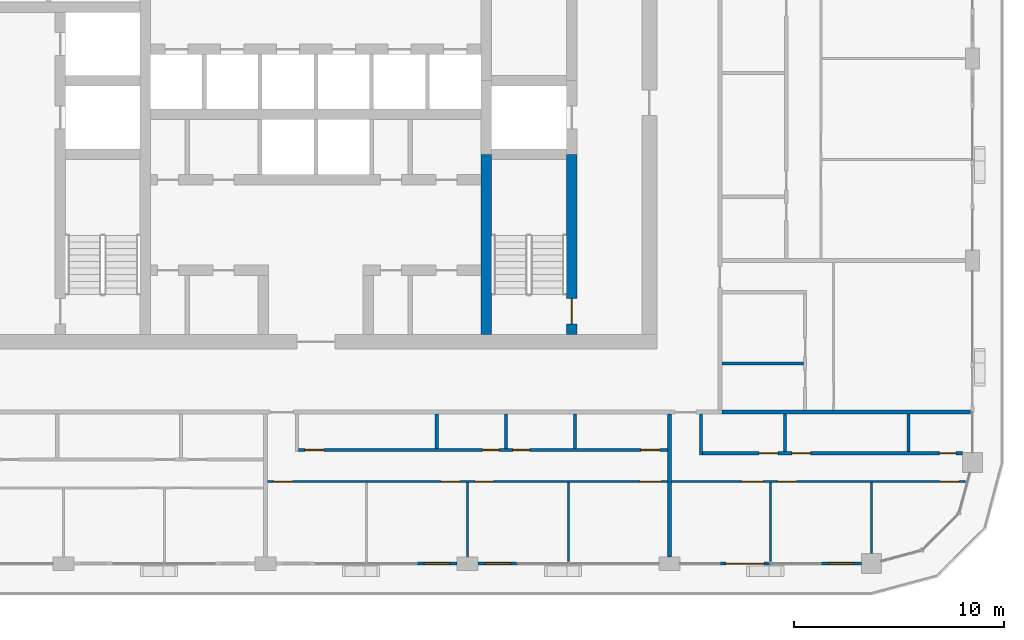
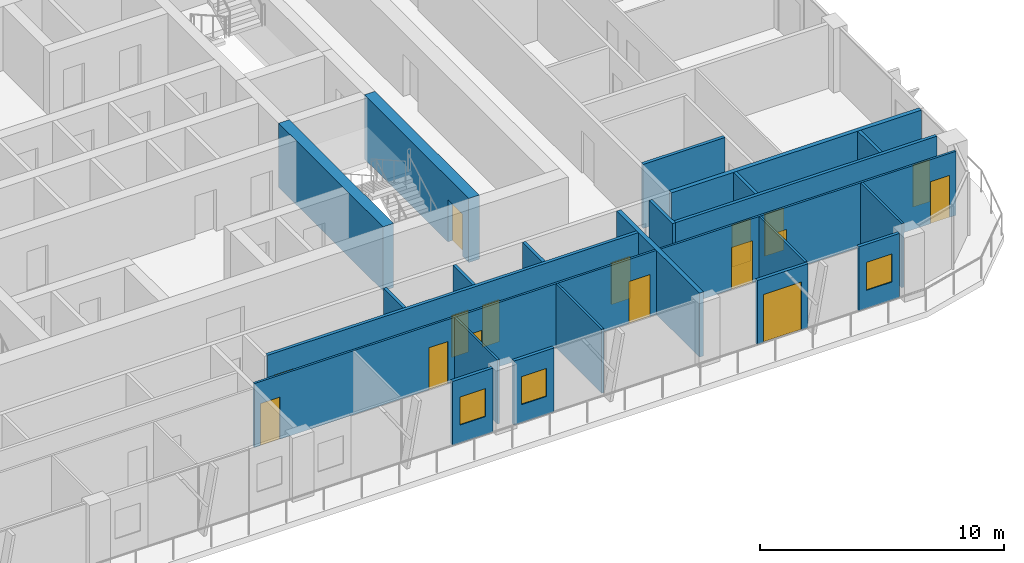
# One storey, part 12 of 23: 23 walls, 16 doors, 3 windows, 19 openings.
"""IFC4 building model written with IfcOpenShell, lengths in metres."""

import ifcopenshell
import ifcopenshell.guid

model = None  # the IFC model being written
_history = None  # IfcOwnerHistory: only IFC2X3 demands one
_inside = {}  # id of a spatial element -> (the spatial element, [elements in it])
_under = {}  # id of a project, library or spatial element -> (it, [spatial elements below it])
_declared = {}  # id of a project -> (the project, [libraries it declares])
_typed = {}  # id of a type object -> (the type object, [elements of that type])
_made_of = {}  # id of a material, layer set ... -> (it, [elements and type objects made of it])


def new_model(schema):
    """Start an empty IFC model of exactly this schema.

    Asked for "IFC4X3", IfcOpenShell would pick the latest addendum, in which some entities
    have other attributes; the version numbers below select the first issue.
    IFC2X3 requires an IfcOwnerHistory on every rooted entity: one is made here for all.
    """
    global model, _history
    if schema == "IFC4X3":
        model = ifcopenshell.file(schema_version=(4, 3, 0, 0))
    else:
        model = ifcopenshell.file(schema=schema)
    _inside.clear()
    _under.clear()
    _declared.clear()
    _typed.clear()
    _made_of.clear()
    _history = None
    if model.schema == "IFC2X3":
        org = make("IfcOrganization", Name="unknown")
        user = make(
            "IfcPersonAndOrganization",
            ThePerson=make("IfcPerson", FamilyName="unknown"),
            TheOrganization=org,
        )
        app = make(
            "IfcApplication",
            ApplicationDeveloper=org,
            Version="unknown",
            ApplicationFullName="unknown",
            ApplicationIdentifier="unknown",
        )
        _history = make(
            "IfcOwnerHistory",
            OwningUser=user,
            OwningApplication=app,
            ChangeAction="ADDED",
            CreationDate=0,
        )
    return model


def make(cls, **values):
    """One entity of the class cls with the attributes given. An attribute that is None is left unset."""
    return model.create_entity(
        cls, **{name: value for name, value in values.items() if value is not None}
    )


def rooted(cls, **values):
    """An entity with a GlobalId (a new one), such as an element, a storey or a relation."""
    return make(cls, GlobalId=ifcopenshell.guid.new(), OwnerHistory=_history, **values)


def si_unit(unit_type, name, prefix=None):
    """IfcSIUnit, for example si_unit("LENGTHUNIT", "METRE", prefix="MILLI")."""
    return make("IfcSIUnit", UnitType=unit_type, Prefix=prefix, Name=name)


def assignment(units):
    """IfcUnitAssignment: the units of a project."""
    return None if units is None else make("IfcUnitAssignment", Units=units)


def point(xyz):
    """IfcCartesianPoint."""
    return None if xyz is None else make("IfcCartesianPoint", Coordinates=xyz)


def direction(xyz):
    """IfcDirection."""
    return None if xyz is None else make("IfcDirection", DirectionRatios=xyz)


def frame(location, z_axis=None, x_axis=None):
    """IfcAxis2Placement3D, a coordinate frame: its origin and axes. An axis left out is left unset."""
    return make(
        "IfcAxis2Placement3D",
        Location=point(location),
        Axis=direction(z_axis),
        RefDirection=direction(x_axis),
    )


def frame_2d(location, x_axis=None):
    """IfcAxis2Placement2D, a coordinate frame in the plane: its origin and x axis."""
    return make(
        "IfcAxis2Placement2D", Location=point(location), RefDirection=direction(x_axis)
    )


def origin():
    """The frame at (0, 0, 0) with its axes left unset."""
    return frame((0.0, 0.0, 0.0))


def place(relative_to, where):
    """IfcLocalPlacement: puts the frame where relative to a parent placement (None: the world)."""
    return make(
        "IfcLocalPlacement", PlacementRelTo=relative_to, RelativePlacement=where
    )


def context(
    kind, dimensions, precision=None, world=None, true_north=None, identifier=None
):
    """IfcGeometricRepresentationContext, for example the 3D "Model" context."""
    return make(
        "IfcGeometricRepresentationContext",
        ContextIdentifier=identifier,
        ContextType=kind,
        CoordinateSpaceDimension=dimensions,
        Precision=precision,
        WorldCoordinateSystem=world,
        TrueNorth=true_north,
    )


def subcontext(parent, identifier, kind, view, scale=None):
    """IfcGeometricRepresentationSubContext, for example "Body" below "Model"."""
    return make(
        "IfcGeometricRepresentationSubContext",
        ContextIdentifier=identifier,
        ContextType=kind,
        ParentContext=parent,
        TargetScale=scale,
        TargetView=view,
    )


def project(units=None, contexts=None):
    """IfcProject with its units and contexts."""
    return rooted(
        "IfcProject",
        Name="project",
        RepresentationContexts=contexts,
        UnitsInContext=assignment(units),
    )


def spatial(cls, under=None, at=None, **own):
    """A site, building, storey or space (cls), placed at a placement, below another one or the project."""
    s = rooted(cls, ObjectPlacement=at, **own)
    if under is not None:
        _under.setdefault(under.id(), (under, []))[1].append(s)
    return s


def profile(cls, at=None, kind="AREA", **sizes):
    """A parametric profile (cls). Its sizes go by their IFC names, for example OverallWidth=200.0."""
    return make(cls, ProfileType=kind, Position=at, **sizes)


def rectangle(**sizes):
    """IfcRectangleProfileDef."""
    return profile("IfcRectangleProfileDef", **sizes)


def extrude(swept, where, along, depth):
    """IfcExtrudedAreaSolid: the profile swept, set in the frame where, extruded along a direction by depth."""
    return make(
        "IfcExtrudedAreaSolid",
        SweptArea=swept,
        Position=where,
        ExtrudedDirection=direction(along),
        Depth=depth,
    )


def shape(context_of_items, identifier, shape_type, items):
    """IfcShapeRepresentation: the items that make up one representation, for example the "Body"."""
    return make(
        "IfcShapeRepresentation",
        ContextOfItems=context_of_items,
        RepresentationIdentifier=identifier,
        RepresentationType=shape_type,
        Items=items,
    )


def material(Name=None, Category=None):
    """IfcMaterial."""
    return make("IfcMaterial", Name=Name, Category=Category)


def layer(
    of_material, thickness, ventilated=None, Name=None, Category=None, Priority=None
):
    """IfcMaterialLayer: one layer of a wall or slab, of a material (None: an air gap)."""
    return make(
        "IfcMaterialLayer",
        Material=of_material,
        LayerThickness=thickness,
        IsVentilated=ventilated,
        Name=Name,
        Category=Category,
        Priority=Priority,
    )


def layer_set(layers, Name=None):
    """IfcMaterialLayerSet."""
    return make("IfcMaterialLayerSet", MaterialLayers=layers, LayerSetName=Name)


def made_of(thing, what):
    """Note that an element or type object is made of a material, layer set ...; save() writes the relation."""
    if what is not None:
        _made_of.setdefault(what.id(), (what, []))[1].append(thing)
    return thing


def type_object(cls, material=None, **own):
    """A type object (cls), such as IfcWallType, which elements share."""
    return made_of(rooted(cls, **own), material)


def element(
    cls,
    number,
    at=None,
    inside=None,
    cuts=None,
    type_object=None,
    material=None,
    context=None,
    identifier="Body",
    shape_type=None,
    held_by="IfcProductDefinitionShape",
    body=None,
    shapes=None,
    **own,
):
    """One element of the class cls, such as IfcWall. Its Tag is "e" and its number.

    at: its placement. inside: the storey or other place that contains it. cuts: it is an
    opening in that element (IfcRelVoidsElement). A single representation is given by context,
    identifier, shape_type and body (its items); several are given by shapes. held_by: the class
    of the entity that holds the representations. save() writes the other relations.
    """
    e = rooted(cls, Tag="e%d" % number, ObjectPlacement=at, **own)
    if body is not None:
        shapes = [shape(context, identifier, shape_type, body)]
    if shapes is not None:
        e.Representation = make(held_by, Representations=shapes)
    if inside is not None:
        _inside.setdefault(inside.id(), (inside, []))[1].append(e)
    if cuts is not None:
        rooted(
            "IfcRelVoidsElement", RelatingBuildingElement=cuts, RelatedOpeningElement=e
        )
    if type_object is not None:
        _typed.setdefault(type_object.id(), (type_object, []))[1].append(e)
    return made_of(e, material)


def fill(opening, filler):
    """IfcRelFillsElement: the door or window that sits in an opening."""
    return rooted(
        "IfcRelFillsElement",
        RelatingOpeningElement=opening,
        RelatedBuildingElement=filler,
    )


def aggregate(whole, parts):
    """IfcRelAggregates: a whole, such as a stair, and the parts it consists of."""
    return rooted("IfcRelAggregates", RelatingObject=whole, RelatedObjects=parts)


def save(model, path):
    """Write the relations noted so far, then the file.

    IfcRelAggregates (storeys below a building ...), IfcRelContainedInSpatialStructure (elements
    in a storey), IfcRelDefinesByType, IfcRelAssociatesMaterial and IfcRelDeclares: one each for
    every whole, place, type object, material and project.
    """
    for whole, parts in _under.values():
        aggregate(whole, parts)
    for where, things in _inside.values():
        rooted(
            "IfcRelContainedInSpatialStructure",
            RelatedElements=things,
            RelatingStructure=where,
        )
    for kind, things in _typed.values():
        rooted("IfcRelDefinesByType", RelatedObjects=things, RelatingType=kind)
    for what, things in _made_of.values():
        rooted("IfcRelAssociatesMaterial", RelatedObjects=things, RelatingMaterial=what)
    for by, libraries in _declared.values():
        rooted("IfcRelDeclares", RelatingContext=by, RelatedDefinitions=libraries)
    model.write(path)


model = new_model("IFC4")

# Units and contexts
model_context = context("Model", 3, precision=1e-05, world=origin(), true_north=direction((0.0, 1.0)))
body_context = subcontext(model_context, "Body", "Model", "MODEL_VIEW")
ifc_project = project(units=[si_unit("LENGTHUNIT", "METRE"), si_unit("AREAUNIT", "SQUARE_METRE"), si_unit("VOLUMEUNIT", "CUBIC_METRE"), si_unit("PLANEANGLEUNIT", "RADIAN"), si_unit("MASSUNIT", "GRAM", prefix="KILO")], contexts=[model_context])

# Site, building, storey
site_placement = place(None, origin())
site = spatial("IfcSite", under=ifc_project, at=site_placement, CompositionType="ELEMENT")
building_placement = place(site_placement, origin())
building = spatial("IfcBuilding", under=site, at=building_placement, Name="Madar Terraces", CompositionType="ELEMENT")
storey_placement = place(building_placement, frame((0.0, 0.0, 222.800048828125)))
storey = spatial("IfcBuildingStorey", under=building, at=storey_placement, Name="L58", CompositionType="ELEMENT", Elevation=222.800048828125)

# Wall
ifc_material_1 = material(Name="Concrete C60/75", Category="concrete")
ifc_layer_1 = layer(ifc_material_1, 0.5)
ifc_layer_set_1 = layer_set([ifc_layer_1], Name="Concrete C60/75 (CIW4 RC wall 500)")
wall_type_1 = type_object("IfcWallType", Name="CIW4 RC wall 500", PredefinedType="SHEAR", material=ifc_layer_set_1)
wall_1_placement = place(storey_placement, frame((39.300048828125, 15.699951171875, 0.0), z_axis=(0.0, 0.0, 1.0), x_axis=(0.0, 1.0, 0.0)))
element("IfcWall", 1, at=wall_1_placement, inside=storey, type_object=wall_type_1, Name="CORE SHAFT WALL", PredefinedType="SHEAR", context=body_context, shape_type="SweptSolid", body=[
    extrude(rectangle(XDim=8.550048828125, YDim=0.5, at=frame_2d((4.27490234375, 0.0))), origin(), (0.0, 0.0, 1.0), 3.199951171875),
])

# Wall, opening, door
wall_2_placement = place(storey_placement, frame((43.35009765625, 15.699951171875, 0.0), z_axis=(0.0, 0.0, 1.0), x_axis=(0.0, 1.0, 0.0)))
wall_2 = element("IfcWall", 2, at=wall_2_placement, inside=storey, type_object=wall_type_1, Name="CORE SHAFT WALL", PredefinedType="SHEAR", context=body_context, shape_type="SweptSolid", body=[
    extrude(rectangle(XDim=8.550048828125, YDim=0.5, at=frame_2d((4.27490234375, 0.0))), origin(), (0.0, 0.0, 1.0), 3.199951171875),
])
opening_1_placement = place(wall_2_placement, frame((0.5, 0.0, 0.0)))
opening_1 = element("IfcOpeningElement", 3, at=opening_1_placement, cuts=wall_2, Name="Opening SD1", PredefinedType="OPENING", context=body_context, shape_type="SweptSolid", body=[
    extrude(rectangle(XDim=1.199951171875, YDim=2.10009765625, at=frame_2d((0.60009765625, 1.050048828125))), frame((0.0, 0.260009765625, 0.0), z_axis=(0.0, -1.0, 0.0), x_axis=(1.0, 0.0, 0.0)), (0.0, 0.0, 1.0), 0.52001953125),
])
ifc_material_2 = material(Name="Steel door leaf", Category="steel")
door_type_1 = type_object("IfcDoorType", Name="Stair door 1200 x 2100", OperationType="NOTDEFINED", PredefinedType="DOOR", material=ifc_material_2)
door_1_placement = place(opening_1_placement, origin())
door_1 = element("IfcDoor", 4, at=door_1_placement, inside=storey, type_object=door_type_1, Name="STAIR DOOR", OperationType="SINGLE_SWING_LEFT", OverallHeight=2.10009765625, OverallWidth=1.199951171875, PredefinedType="DOOR", context=body_context, shape_type="SweptSolid", body=[
    extrude(rectangle(XDim=1.199951171875, YDim=2.10009765625, at=frame_2d((0.60009765625, 1.050048828125))), frame((0.0, 0.02490234375, 0.0), z_axis=(0.0, -1.0, 0.0), x_axis=(1.0, 0.0, 0.0)), (0.0, 0.0, 1.0), 0.050048828125),
])
fill(opening_1, door_1)

# Wall, opening, window
ifc_material_3 = material(Name="Aluminium composite panel, black, over insulated backing", Category="aluminium")
ifc_layer_2 = layer(ifc_material_3, 0.14990234375)
ifc_layer_set_2 = layer_set([ifc_layer_2], Name="Facade bay panel 150")
wall_type_2 = type_object("IfcWallType", Name="Facade bay panel 150", PredefinedType="SOLIDWALL", material=ifc_layer_set_2)
wall_3_placement = place(storey_placement, frame((36.0, 4.800048828125, 0.0), z_axis=(0.0, 0.0, 1.0), x_axis=(1.0, 0.0, 0.0)))
wall_3 = element("IfcWall", 5, at=wall_3_placement, inside=storey, type_object=wall_type_2, Name="Facade bay panel", PredefinedType="SOLIDWALL", context=body_context, shape_type="SweptSolid", body=[
    extrude(rectangle(XDim=1.89990234375, YDim=0.14990234375, at=frame_2d((0.949951171875, 0.0))), origin(), (0.0, 0.0, 1.0), 3.199951171875),
])
opening_2_placement = place(wall_3_placement, frame((0.35009765625, 0.0, 0.89990234375)))
opening_2 = element("IfcOpeningElement", 6, at=opening_2_placement, cuts=wall_3, Name="Opening W1", PredefinedType="OPENING", context=body_context, shape_type="SweptSolid", body=[
    extrude(rectangle(XDim=1.199951171875, YDim=1.39990234375, at=frame_2d((0.60009765625, 0.699951171875))), frame((0.0, 0.0849609375, 0.0), z_axis=(0.0, -1.0, 0.0), x_axis=(1.0, 0.0, 0.0)), (0.0, 0.0, 1.0), 0.169921875),
])
ifc_material_4 = material(Name="Glass, clear, with black aluminium frame", Category="aluminium")
window_type = type_object("IfcWindowType", Name="Vent window 1200 x 1400", PartitioningType="SINGLE_PANEL", PredefinedType="WINDOW", material=ifc_material_4)
window_1_placement = place(opening_2_placement, origin())
window_1 = element("IfcWindow", 7, at=window_1_placement, inside=storey, type_object=window_type, Name="Operable vent window", OverallHeight=1.39990234375, OverallWidth=1.199951171875, PartitioningType="SINGLE_PANEL", PredefinedType="WINDOW", context=body_context, shape_type="SweptSolid", body=[
    extrude(rectangle(XDim=1.199951171875, YDim=1.39990234375, at=frame_2d((0.60009765625, 0.699951171875))), frame((0.0, 0.030029296875, 0.0), z_axis=(0.0, -1.0, 0.0), x_axis=(1.0, 0.0, 0.0)), (0.0, 0.0, 1.0), 0.06005859375),
])
fill(opening_2, window_1)

wall_4_placement = place(storey_placement, frame((38.89990234375, 4.800048828125, 0.0), z_axis=(0.0, 0.0, 1.0), x_axis=(1.0, 0.0, 0.0)))
wall_4 = element("IfcWall", 8, at=wall_4_placement, inside=storey, type_object=wall_type_2, Name="Facade bay panel", PredefinedType="SOLIDWALL", context=body_context, shape_type="SweptSolid", body=[
    extrude(rectangle(XDim=1.900146484375, YDim=0.14990234375, at=frame_2d((0.9501953125, 0.0))), origin(), (0.0, 0.0, 1.0), 3.199951171875),
])
opening_3_placement = place(wall_4_placement, frame((0.35009765625, 0.0, 0.89990234375)))
opening_3 = element("IfcOpeningElement", 9, at=opening_3_placement, cuts=wall_4, Name="Opening W1", PredefinedType="OPENING", context=body_context, shape_type="SweptSolid", body=[
    extrude(rectangle(XDim=1.199951171875, YDim=1.39990234375, at=frame_2d((0.60009765625, 0.699951171875))), frame((0.0, 0.0849609375, 0.0), z_axis=(0.0, -1.0, 0.0), x_axis=(1.0, 0.0, 0.0)), (0.0, 0.0, 1.0), 0.169921875),
])
window_2_placement = place(opening_3_placement, origin())
window_2 = element("IfcWindow", 10, at=window_2_placement, inside=storey, type_object=window_type, Name="Operable vent window", OverallHeight=1.39990234375, OverallWidth=1.199951171875, PartitioningType="SINGLE_PANEL", PredefinedType="WINDOW", context=body_context, shape_type="SweptSolid", body=[
    extrude(rectangle(XDim=1.199951171875, YDim=1.39990234375, at=frame_2d((0.60009765625, 0.699951171875))), frame((0.0, 0.030029296875, 0.0), z_axis=(0.0, -1.0, 0.0), x_axis=(1.0, 0.0, 0.0)), (0.0, 0.0, 1.0), 0.06005859375),
])
fill(opening_3, window_2)

# Wall, opening, door
wall_5_placement = place(storey_placement, frame((50.39990234375, 4.800048828125, 0.0), z_axis=(0.0, 0.0, 1.0), x_axis=(1.0, 0.0, 0.0)))
wall_5 = element("IfcWall", 11, at=wall_5_placement, inside=storey, type_object=wall_type_2, Name="Facade bay panel", PredefinedType="SOLIDWALL", context=body_context, shape_type="SweptSolid", body=[
    extrude(rectangle(XDim=2.400146484375, YDim=0.14990234375, at=frame_2d((1.2001953125, 0.0))), origin(), (0.0, 0.0, 1.0), 3.199951171875),
])
opening_4_placement = place(wall_5_placement, frame((0.300048828125, 0.0, 0.0)))
opening_4 = element("IfcOpeningElement", 12, at=opening_4_placement, cuts=wall_5, Name="Opening ED1", PredefinedType="OPENING", context=body_context, shape_type="SweptSolid", body=[
    extrude(rectangle(XDim=1.800048828125, YDim=2.39990234375, at=frame_2d((0.89990234375, 1.199951171875))), frame((0.0, 0.0849609375, 0.0), z_axis=(0.0, -1.0, 0.0), x_axis=(1.0, 0.0, 0.0)), (0.0, 0.0, 1.0), 0.169921875),
])
ifc_material_5 = material(Name="Glass, clear, with black aluminium frame", Category="aluminium")
door_type_2 = type_object("IfcDoorType", Name="Balcony and terrace sliding door 1800 x 2400", OperationType="SLIDING_TO_LEFT", PredefinedType="DOOR", material=ifc_material_5)
door_2_placement = place(opening_4_placement, origin())
door_2 = element("IfcDoor", 13, at=door_2_placement, inside=storey, type_object=door_type_2, Name="Balcony door", OperationType="SLIDING_TO_RIGHT", OverallHeight=2.39990234375, OverallWidth=1.800048828125, PredefinedType="DOOR", context=body_context, shape_type="SweptSolid", body=[
    extrude(rectangle(XDim=1.800048828125, YDim=2.39990234375, at=frame_2d((0.89990234375, 1.199951171875))), frame((0.0, 0.02490234375, 0.0), z_axis=(0.0, -1.0, 0.0), x_axis=(1.0, 0.0, 0.0)), (0.0, 0.0, 1.0), 0.050048828125),
])
fill(opening_4, door_2)

# Wall, opening, window
wall_6_placement = place(storey_placement, frame((55.199951171875, 4.800048828125, 0.0), z_axis=(0.0, 0.0, 1.0), x_axis=(1.0, 0.0, 0.0)))
wall_6 = element("IfcWall", 14, at=wall_6_placement, inside=storey, type_object=wall_type_2, Name="Facade bay panel", PredefinedType="SOLIDWALL", context=body_context, shape_type="SweptSolid", body=[
    extrude(rectangle(XDim=1.925048828125, YDim=0.14990234375, at=frame_2d((0.96240234375, 0.0))), origin(), (0.0, 0.0, 1.0), 3.199951171875),
])
opening_5_placement = place(wall_6_placement, frame((0.362548828125, 0.0, 0.89990234375)))
opening_5 = element("IfcOpeningElement", 15, at=opening_5_placement, cuts=wall_6, Name="Opening W1", PredefinedType="OPENING", context=body_context, shape_type="SweptSolid", body=[
    extrude(rectangle(XDim=1.199951171875, YDim=1.39990234375, at=frame_2d((0.60009765625, 0.699951171875))), frame((0.0, 0.0849609375, 0.0), z_axis=(0.0, -1.0, 0.0), x_axis=(1.0, 0.0, 0.0)), (0.0, 0.0, 1.0), 0.169921875),
])
window_3_placement = place(opening_5_placement, origin())
window_3 = element("IfcWindow", 16, at=window_3_placement, inside=storey, type_object=window_type, Name="Operable vent window", OverallHeight=1.39990234375, OverallWidth=1.199951171875, PartitioningType="SINGLE_PANEL", PredefinedType="WINDOW", context=body_context, shape_type="SweptSolid", body=[
    extrude(rectangle(XDim=1.199951171875, YDim=1.39990234375, at=frame_2d((0.60009765625, 0.699951171875))), frame((0.0, 0.030029296875, 0.0), z_axis=(0.0, -1.0, 0.0), x_axis=(1.0, 0.0, 0.0)), (0.0, 0.0, 1.0), 0.06005859375),
])
fill(opening_5, window_3)

# Walls
ifc_material_6 = material(Name="Gypsum board on steel studs", Category="steel")
ifc_layer_3 = layer(ifc_material_6, 0.10009765625)
ifc_layer_set_3 = layer_set([ifc_layer_3], Name="Flat partition 100")
wall_type_3 = type_object("IfcWallType", Name="Flat partition 100", PredefinedType="PARTITIONING", material=ifc_layer_set_3)
wall_7_placement = place(storey_placement, frame((38.39990234375, 8.64990234375, 0.0), z_axis=(0.0, 0.0, 1.0), x_axis=(0.0, -1.0, 0.0)))
element("IfcWall", 17, at=wall_7_placement, inside=storey, type_object=wall_type_3, Name="Flat partition 100", PredefinedType="PARTITIONING", context=body_context, shape_type="SweptSolid", body=[
    extrude(rectangle(XDim=3.52490234375, YDim=0.10009765625, at=frame_2d((1.762451171875, 0.0))), origin(), (0.0, 0.0, 1.0), 3.199951171875),
])
wall_8_placement = place(storey_placement, frame((43.199951171875, 8.64990234375, 0.0), z_axis=(0.0, 0.0, 1.0), x_axis=(0.0, -1.0, 0.0)))
element("IfcWall", 18, at=wall_8_placement, inside=storey, type_object=wall_type_3, Name="Flat partition 100", PredefinedType="PARTITIONING", context=body_context, shape_type="SweptSolid", body=[
    extrude(rectangle(XDim=3.75, YDim=0.10009765625, at=frame_2d((1.875, 0.0))), origin(), (0.0, 0.0, 1.0), 3.199951171875),
])

# Wall, openings, doors
wall_9_placement = place(storey_placement, frame((47.89990234375, 8.699951171875, 0.0), z_axis=(0.0, 0.0, 1.0), x_axis=(-1.0, 0.0, 0.0)))
wall_9 = element("IfcWall", 19, at=wall_9_placement, inside=storey, type_object=wall_type_3, Name="Flat partition 100", PredefinedType="PARTITIONING", context=body_context, shape_type="SweptSolid", body=[
    extrude(rectangle(XDim=19.0, YDim=0.10009765625, at=frame_2d((9.5, 0.0))), origin(), (0.0, 0.0, 1.0), 3.199951171875),
])
opening_6_placement = place(wall_9_placement, frame((17.800048828125, 0.0, 0.0)))
opening_6 = element("IfcOpeningElement", 20, at=opening_6_placement, cuts=wall_9, Name="Opening D2", PredefinedType="OPENING", context=body_context, shape_type="SweptSolid", body=[
    extrude(rectangle(XDim=0.89990234375, YDim=2.10009765625, at=frame_2d((0.449951171875, 1.050048828125))), frame((0.0, 0.06005859375, 0.0), z_axis=(0.0, -1.0, 0.0), x_axis=(1.0, 0.0, 0.0)), (0.0, 0.0, 1.0), 0.1201171875),
])
opening_7_placement = place(wall_9_placement, frame((9.85009765625, 0.0, 0.0)))
opening_7 = element("IfcOpeningElement", 21, at=opening_7_placement, cuts=wall_9, Name="Opening D2", PredefinedType="OPENING", context=body_context, shape_type="SweptSolid", body=[
    extrude(rectangle(XDim=0.89990234375, YDim=2.10009765625, at=frame_2d((0.449951171875, 1.050048828125))), frame((0.0, 0.06005859375, 0.0), z_axis=(0.0, -1.0, 0.0), x_axis=(1.0, 0.0, 0.0)), (0.0, 0.0, 1.0), 0.1201171875),
])
opening_8_placement = place(wall_9_placement, frame((8.25, 0.0, 0.0)))
opening_8 = element("IfcOpeningElement", 22, at=opening_8_placement, cuts=wall_9, Name="Opening D2", PredefinedType="OPENING", context=body_context, shape_type="SweptSolid", body=[
    extrude(rectangle(XDim=0.89990234375, YDim=2.10009765625, at=frame_2d((0.449951171875, 1.050048828125))), frame((0.0, 0.06005859375, 0.0), z_axis=(0.0, -1.0, 0.0), x_axis=(1.0, 0.0, 0.0)), (0.0, 0.0, 1.0), 0.1201171875),
])
opening_9_placement = place(wall_9_placement, frame((0.300048828125, 0.0, 0.0)))
opening_9 = element("IfcOpeningElement", 23, at=opening_9_placement, cuts=wall_9, Name="Opening D3", PredefinedType="OPENING", context=body_context, shape_type="SweptSolid", body=[
    extrude(rectangle(XDim=1.0, YDim=2.10009765625, at=frame_2d((0.5, 1.050048828125))), frame((0.0, 0.06005859375, 0.0), z_axis=(0.0, -1.0, 0.0), x_axis=(1.0, 0.0, 0.0)), (0.0, 0.0, 1.0), 0.1201171875),
])
ifc_material_7 = material(Name="Timber door leaf", Category="wood")
door_type_3 = type_object("IfcDoorType", Name="Flat living room door 1000", OperationType="NOTDEFINED", PredefinedType="DOOR", material=ifc_material_7)
door_3_placement = place(opening_9_placement, origin())
door_3 = element("IfcDoor", 24, at=door_3_placement, inside=storey, type_object=door_type_3, Name="Flat living room door 1000", OperationType="SINGLE_SWING_LEFT", OverallHeight=2.10009765625, OverallWidth=1.0, PredefinedType="DOOR", context=body_context, shape_type="SweptSolid", body=[
    extrude(rectangle(XDim=1.0, YDim=2.10009765625, at=frame_2d((0.5, 1.050048828125))), frame((0.0, 0.02490234375, 0.0), z_axis=(0.0, -1.0, 0.0), x_axis=(1.0, 0.0, 0.0)), (0.0, 0.0, 1.0), 0.050048828125),
])
fill(opening_9, door_3)
ifc_material_8 = material(Name="Timber door leaf", Category="wood")
door_type_4 = type_object("IfcDoorType", Name="Flat room door 900", OperationType="NOTDEFINED", PredefinedType="DOOR", material=ifc_material_8)
door_4_placement = place(opening_6_placement, origin())
door_4 = element("IfcDoor", 25, at=door_4_placement, inside=storey, type_object=door_type_4, Name="Flat room door 900", OperationType="SINGLE_SWING_RIGHT", OverallHeight=2.10009765625, OverallWidth=0.89990234375, PredefinedType="DOOR", context=body_context, shape_type="SweptSolid", body=[
    extrude(rectangle(XDim=0.89990234375, YDim=2.10009765625, at=frame_2d((0.449951171875, 1.050048828125))), frame((0.0, 0.02490234375, 0.0), z_axis=(0.0, -1.0, 0.0), x_axis=(1.0, 0.0, 0.0)), (0.0, 0.0, 1.0), 0.050048828125),
])
fill(opening_6, door_4)
door_5_placement = place(opening_7_placement, origin())
door_5 = element("IfcDoor", 26, at=door_5_placement, inside=storey, type_object=door_type_4, Name="Flat room door 900", OperationType="SINGLE_SWING_LEFT", OverallHeight=2.10009765625, OverallWidth=0.89990234375, PredefinedType="DOOR", context=body_context, shape_type="SweptSolid", body=[
    extrude(rectangle(XDim=0.89990234375, YDim=2.10009765625, at=frame_2d((0.449951171875, 1.050048828125))), frame((0.0, 0.02490234375, 0.0), z_axis=(0.0, -1.0, 0.0), x_axis=(1.0, 0.0, 0.0)), (0.0, 0.0, 1.0), 0.050048828125),
])
fill(opening_7, door_5)
door_6_placement = place(opening_8_placement, origin())
door_6 = element("IfcDoor", 27, at=door_6_placement, inside=storey, type_object=door_type_4, Name="Flat room door 900", OperationType="SINGLE_SWING_RIGHT", OverallHeight=2.10009765625, OverallWidth=0.89990234375, PredefinedType="DOOR", context=body_context, shape_type="SweptSolid", body=[
    extrude(rectangle(XDim=0.89990234375, YDim=2.10009765625, at=frame_2d((0.449951171875, 1.050048828125))), frame((0.0, 0.02490234375, 0.0), z_axis=(0.0, -1.0, 0.0), x_axis=(1.0, 0.0, 0.0)), (0.0, 0.0, 1.0), 0.050048828125),
])
fill(opening_8, door_6)

# Walls
wall_10_placement = place(storey_placement, frame((52.800048828125, 8.64990234375, 0.0), z_axis=(0.0, 0.0, 1.0), x_axis=(0.0, -1.0, 0.0)))
element("IfcWall", 28, at=wall_10_placement, inside=storey, type_object=wall_type_3, Name="Flat partition 100", PredefinedType="PARTITIONING", context=body_context, shape_type="SweptSolid", body=[
    extrude(rectangle(XDim=3.75, YDim=0.10009765625, at=frame_2d((1.875, 0.0))), origin(), (0.0, 0.0, 1.0), 3.199951171875),
])
wall_11_placement = place(storey_placement, frame((57.60009765625, 8.64990234375, 0.0), z_axis=(0.0, 0.0, 1.0), x_axis=(0.0, -1.0, 0.0)))
element("IfcWall", 29, at=wall_11_placement, inside=storey, type_object=wall_type_3, Name="Flat partition 100", PredefinedType="PARTITIONING", context=body_context, shape_type="SweptSolid", body=[
    extrude(rectangle(XDim=3.375, YDim=0.10009765625, at=frame_2d((1.6875, 0.0))), origin(), (0.0, 0.0, 1.0), 3.199951171875),
])

# Wall, openings, doors
wall_12_placement = place(storey_placement, frame((62.058837890625, 8.699951171875, 0.0), z_axis=(0.0, 0.0, 1.0), x_axis=(-1.0, 0.0, 0.0)))
wall_12 = element("IfcWall", 30, at=wall_12_placement, inside=storey, type_object=wall_type_3, Name="Flat partition 100", PredefinedType="PARTITIONING", context=body_context, shape_type="SweptSolid", body=[
    extrude(rectangle(XDim=13.958740234375, YDim=0.10009765625, at=frame_2d((6.9794921875, 0.0))), origin(), (0.0, 0.0, 1.0), 3.199951171875),
])
opening_10_placement = place(wall_12_placement, frame((9.60888671875, 0.0, 0.0)))
opening_10 = element("IfcOpeningElement", 31, at=opening_10_placement, cuts=wall_12, Name="Opening D3", PredefinedType="OPENING", context=body_context, shape_type="SweptSolid", body=[
    extrude(rectangle(XDim=1.0, YDim=2.10009765625, at=frame_2d((0.5, 1.050048828125))), frame((0.0, 0.06005859375, 0.0), z_axis=(0.0, -1.0, 0.0), x_axis=(1.0, 0.0, 0.0)), (0.0, 0.0, 1.0), 0.1201171875),
])
opening_11_placement = place(wall_12_placement, frame((8.0087890625, 0.0, 0.0)))
opening_11 = element("IfcOpeningElement", 32, at=opening_11_placement, cuts=wall_12, Name="Opening D2", PredefinedType="OPENING", context=body_context, shape_type="SweptSolid", body=[
    extrude(rectangle(XDim=0.89990234375, YDim=2.10009765625, at=frame_2d((0.449951171875, 1.050048828125))), frame((0.0, 0.06005859375, 0.0), z_axis=(0.0, -1.0, 0.0), x_axis=(1.0, 0.0, 0.0)), (0.0, 0.0, 1.0), 0.1201171875),
])
opening_12_placement = place(wall_12_placement, frame((0.300048828125, 0.0, 0.0)))
opening_12 = element("IfcOpeningElement", 33, at=opening_12_placement, cuts=wall_12, Name="Opening D2", PredefinedType="OPENING", context=body_context, shape_type="SweptSolid", body=[
    extrude(rectangle(XDim=0.89990234375, YDim=2.10009765625, at=frame_2d((0.449951171875, 1.050048828125))), frame((0.0, 0.06005859375, 0.0), z_axis=(0.0, -1.0, 0.0), x_axis=(1.0, 0.0, 0.0)), (0.0, 0.0, 1.0), 0.1201171875),
])
door_7_placement = place(opening_10_placement, origin())
door_7 = element("IfcDoor", 34, at=door_7_placement, inside=storey, type_object=door_type_3, Name="Flat living room door 1000", OperationType="SINGLE_SWING_LEFT", OverallHeight=2.10009765625, OverallWidth=1.0, PredefinedType="DOOR", context=body_context, shape_type="SweptSolid", body=[
    extrude(rectangle(XDim=1.0, YDim=2.10009765625, at=frame_2d((0.5, 1.050048828125))), frame((0.0, 0.02490234375, 0.0), z_axis=(0.0, -1.0, 0.0), x_axis=(1.0, 0.0, 0.0)), (0.0, 0.0, 1.0), 0.050048828125),
])
fill(opening_10, door_7)
door_8_placement = place(opening_11_placement, origin())
door_8 = element("IfcDoor", 35, at=door_8_placement, inside=storey, type_object=door_type_4, Name="Flat room door 900", OperationType="SINGLE_SWING_RIGHT", OverallHeight=2.10009765625, OverallWidth=0.89990234375, PredefinedType="DOOR", context=body_context, shape_type="SweptSolid", body=[
    extrude(rectangle(XDim=0.89990234375, YDim=2.10009765625, at=frame_2d((0.449951171875, 1.050048828125))), frame((0.0, 0.02490234375, 0.0), z_axis=(0.0, -1.0, 0.0), x_axis=(1.0, 0.0, 0.0)), (0.0, 0.0, 1.0), 0.050048828125),
])
fill(opening_11, door_8)
door_9_placement = place(opening_12_placement, origin())
door_9 = element("IfcDoor", 36, at=door_9_placement, inside=storey, type_object=door_type_4, Name="Flat room door 900", OperationType="SINGLE_SWING_LEFT", OverallHeight=2.10009765625, OverallWidth=0.89990234375, PredefinedType="DOOR", context=body_context, shape_type="SweptSolid", body=[
    extrude(rectangle(XDim=0.89990234375, YDim=2.10009765625, at=frame_2d((0.449951171875, 1.050048828125))), frame((0.0, 0.02490234375, 0.0), z_axis=(0.0, -1.0, 0.0), x_axis=(1.0, 0.0, 0.0)), (0.0, 0.0, 1.0), 0.050048828125),
])
fill(opening_12, door_9)

# Walls
ifc_material_9 = material(Name="Lightweight blockwork", Category="masonry")
ifc_layer_4 = layer(ifc_material_9, 0.199951171875)
ifc_layer_set_4 = layer_set([ifc_layer_4], Name="Flat party and entrance wall 200")
wall_type_4 = type_object("IfcWallType", Name="Flat party and entrance wall 200", PredefinedType="PARTITIONING", material=ifc_layer_set_4)
wall_13_placement = place(storey_placement, frame((48.0, 11.89990234375, 0.0), z_axis=(0.0, 0.0, 1.0), x_axis=(0.0, -1.0, 0.0)))
element("IfcWall", 37, at=wall_13_placement, inside=storey, type_object=wall_type_4, Name="Flat party and entrance wall 200", PredefinedType="PARTITIONING", context=body_context, shape_type="SweptSolid", body=[
    extrude(rectangle(XDim=6.77490234375, YDim=0.199951171875, at=frame_2d((3.387451171875, 0.0))), origin(), (0.0, 0.0, 1.0), 3.199951171875),
])
wall_14_placement = place(storey_placement, frame((50.5, 12.0, 0.0), z_axis=(0.0, 0.0, 1.0), x_axis=(1.0, 0.0, 0.0)))
element("IfcWall", 38, at=wall_14_placement, inside=storey, type_object=wall_type_4, Name="Flat party and entrance wall 200", PredefinedType="PARTITIONING", context=body_context, shape_type="SweptSolid", body=[
    extrude(rectangle(XDim=11.800048828125, YDim=0.199951171875, at=frame_2d((5.89990234375, 0.0))), origin(), (0.0, 0.0, 1.0), 3.199951171875),
])
ifc_material_10 = material(Name="Lightweight blockwork", Category="masonry")
ifc_layer_5 = layer(ifc_material_10, 0.14990234375)
ifc_layer_set_5 = layer_set([ifc_layer_5], Name="Flat wet-room partition 150")
wall_type_5 = type_object("IfcWallType", Name="Flat wet-room partition 150", PredefinedType="PARTITIONING", material=ifc_layer_set_5)
for number, where, z_axis, x_axis, name in (
    (39, (36.947021484375, 11.89990234375, 0.0), (0.0, 0.0, 1.0), (0.0, -1.0, 0.0), "Flat wet-room partition 150"),
    (40, (40.23291015625, 11.89990234375, 0.0), (0.0, 0.0, 1.0), (0.0, -1.0, 0.0), "Flat wet-room partition 150"),
    (41, (43.518798828125, 11.89990234375, 0.0), (0.0, 0.0, 1.0), (0.0, -1.0, 0.0), "Flat wet-room partition 150"),
):
    element("IfcWall", number, at=place(storey_placement, frame(where, z_axis=z_axis, x_axis=x_axis)), inside=storey, type_object=wall_type_5, Name=name, PredefinedType="PARTITIONING", context=body_context, shape_type="SweptSolid", body=[
        extrude(rectangle(XDim=1.625, YDim=0.14990234375, at=frame_2d((0.8125, 0.0))), origin(), (0.0, 0.0, 1.0), 3.199951171875),
    ])

# Wall, openings, doors
wall_15_placement = place(storey_placement, frame((30.375, 10.199951171875, 0.0), z_axis=(0.0, 0.0, 1.0), x_axis=(1.0, 0.0, 0.0)))
wall_15 = element("IfcWall", 42, at=wall_15_placement, inside=storey, type_object=wall_type_5, Name="Flat wet-room partition 150", PredefinedType="PARTITIONING", context=body_context, shape_type="SweptSolid", body=[
    extrude(rectangle(XDim=17.52490234375, YDim=0.14990234375, at=frame_2d((8.762451171875, 0.0))), origin(), (0.0, 0.0, 1.0), 3.199951171875),
])
opening_13_placement = place(wall_15_placement, frame((0.300048828125, 0.0, 0.0)))
opening_13 = element("IfcOpeningElement", 43, at=opening_13_placement, cuts=wall_15, Name="Opening D2", PredefinedType="OPENING", context=body_context, shape_type="SweptSolid", body=[
    extrude(rectangle(XDim=0.89990234375, YDim=2.10009765625, at=frame_2d((0.449951171875, 1.050048828125))), frame((0.0, 0.0849609375, 0.0), z_axis=(0.0, -1.0, 0.0), x_axis=(1.0, 0.0, 0.0)), (0.0, 0.0, 1.0), 0.169921875),
])
opening_14_placement = place(wall_15_placement, frame((8.73291015625, 0.0, 0.0)))
opening_14 = element("IfcOpeningElement", 44, at=opening_14_placement, cuts=wall_15, Name="Opening D4", PredefinedType="OPENING", context=body_context, shape_type="SweptSolid", body=[
    extrude(rectangle(XDim=0.800048828125, YDim=2.10009765625, at=frame_2d((0.39990234375, 1.050048828125))), frame((0.0, 0.0849609375, 0.0), z_axis=(0.0, -1.0, 0.0), x_axis=(1.0, 0.0, 0.0)), (0.0, 0.0, 1.0), 0.169921875),
])
opening_15_placement = place(wall_15_placement, frame((10.182861328125, 0.0, 0.0)))
opening_15 = element("IfcOpeningElement", 45, at=opening_15_placement, cuts=wall_15, Name="Opening D7", PredefinedType="OPENING", context=body_context, shape_type="SweptSolid", body=[
    extrude(rectangle(XDim=0.800048828125, YDim=2.10009765625, at=frame_2d((0.39990234375, 1.050048828125))), frame((0.0, 0.0849609375, 0.0), z_axis=(0.0, -1.0, 0.0), x_axis=(1.0, 0.0, 0.0)), (0.0, 0.0, 1.0), 0.169921875),
])
opening_16_placement = place(wall_15_placement, frame((16.27490234375, 0.0, 0.0)))
opening_16 = element("IfcOpeningElement", 46, at=opening_16_placement, cuts=wall_15, Name="Opening D5", PredefinedType="OPENING", context=body_context, shape_type="SweptSolid", body=[
    extrude(rectangle(XDim=0.89990234375, YDim=2.10009765625, at=frame_2d((0.449951171875, 1.050048828125))), frame((0.0, 0.0849609375, 0.0), z_axis=(0.0, -1.0, 0.0), x_axis=(1.0, 0.0, 0.0)), (0.0, 0.0, 1.0), 0.169921875),
])
ifc_material_11 = material(Name="Timber door leaf", Category="wood")
door_type_5 = type_object("IfcDoorType", Name="Flat accessible bathroom door 900", OperationType="NOTDEFINED", PredefinedType="DOOR", material=ifc_material_11)
door_10_placement = place(opening_16_placement, origin())
door_10 = element("IfcDoor", 47, at=door_10_placement, inside=storey, type_object=door_type_5, Name="Flat accessible bathroom door 900", OperationType="SINGLE_SWING_RIGHT", OverallHeight=2.10009765625, OverallWidth=0.89990234375, PredefinedType="DOOR", context=body_context, shape_type="SweptSolid", body=[
    extrude(rectangle(XDim=0.89990234375, YDim=2.10009765625, at=frame_2d((0.449951171875, 1.050048828125))), frame((0.0, 0.02490234375, 0.0), z_axis=(0.0, -1.0, 0.0), x_axis=(1.0, 0.0, 0.0)), (0.0, 0.0, 1.0), 0.050048828125),
])
fill(opening_16, door_10)
ifc_material_12 = material(Name="Timber door leaf", Category="wood")
door_type_6 = type_object("IfcDoorType", Name="Flat bathroom door 800", OperationType="NOTDEFINED", PredefinedType="DOOR", material=ifc_material_12)
door_11_placement = place(opening_14_placement, origin())
door_11 = element("IfcDoor", 48, at=door_11_placement, inside=storey, type_object=door_type_6, Name="Flat bathroom door 800", OperationType="SINGLE_SWING_RIGHT", OverallHeight=2.10009765625, OverallWidth=0.800048828125, PredefinedType="DOOR", context=body_context, shape_type="SweptSolid", body=[
    extrude(rectangle(XDim=0.800048828125, YDim=2.10009765625, at=frame_2d((0.39990234375, 1.050048828125))), frame((0.0, 0.02490234375, 0.0), z_axis=(0.0, -1.0, 0.0), x_axis=(1.0, 0.0, 0.0)), (0.0, 0.0, 1.0), 0.050048828125),
])
fill(opening_14, door_11)
door_12_placement = place(opening_13_placement, origin())
door_12 = element("IfcDoor", 49, at=door_12_placement, inside=storey, type_object=door_type_4, Name="Flat room door 900", OperationType="SINGLE_SWING_LEFT", OverallHeight=2.10009765625, OverallWidth=0.89990234375, PredefinedType="DOOR", context=body_context, shape_type="SweptSolid", body=[
    extrude(rectangle(XDim=0.89990234375, YDim=2.10009765625, at=frame_2d((0.449951171875, 1.050048828125))), frame((0.0, 0.02490234375, 0.0), z_axis=(0.0, -1.0, 0.0), x_axis=(1.0, 0.0, 0.0)), (0.0, 0.0, 1.0), 0.050048828125),
])
fill(opening_13, door_12)
ifc_material_13 = material(Name="Timber door leaf", Category="wood")
door_type_7 = type_object("IfcDoorType", Name="Flat utility door 800", OperationType="NOTDEFINED", PredefinedType="DOOR", material=ifc_material_13)
door_13_placement = place(opening_15_placement, origin())
door_13 = element("IfcDoor", 50, at=door_13_placement, inside=storey, type_object=door_type_7, Name="Flat utility door 800", OperationType="SINGLE_SWING_LEFT", OverallHeight=2.10009765625, OverallWidth=0.800048828125, PredefinedType="DOOR", context=body_context, shape_type="SweptSolid", body=[
    extrude(rectangle(XDim=0.800048828125, YDim=2.10009765625, at=frame_2d((0.39990234375, 1.050048828125))), frame((0.0, 0.02490234375, 0.0), z_axis=(0.0, -1.0, 0.0), x_axis=(1.0, 0.0, 0.0)), (0.0, 0.0, 1.0), 0.050048828125),
])
fill(opening_15, door_13)

# Walls
for number, where, z_axis, x_axis, name in (
    (51, (53.490478515625, 11.89990234375, 0.0), (0.0, 0.0, 1.0), (0.0, -1.0, 0.0), "Flat wet-room partition 150"),
    (52, (59.363525390625, 11.89990234375, 0.0), (0.0, 0.0, 1.0), (0.0, -1.0, 0.0), "Flat wet-room partition 150"),
):
    element("IfcWall", number, at=place(storey_placement, frame(where, z_axis=z_axis, x_axis=x_axis)), inside=storey, type_object=wall_type_5, Name=name, PredefinedType="PARTITIONING", context=body_context, shape_type="SweptSolid", body=[
        extrude(rectangle(XDim=1.77490234375, YDim=0.14990234375, at=frame_2d((0.887451171875, 0.0))), origin(), (0.0, 0.0, 1.0), 3.199951171875),
    ])
wall_16_placement = place(storey_placement, frame((49.5, 11.89990234375, 0.0), z_axis=(0.0, 0.0, 1.0), x_axis=(0.0, -1.0, 0.0)))
element("IfcWall", 53, at=wall_16_placement, inside=storey, type_object=wall_type_5, Name="Flat wet-room partition 150", PredefinedType="PARTITIONING", context=body_context, shape_type="SweptSolid", body=[
    extrude(rectangle(XDim=1.9248046875, YDim=0.14990234375, at=frame_2d((0.96240234375, 0.0))), origin(), (0.0, 0.0, 1.0), 3.199951171875),
])

# Wall, openings, doors
wall_17_placement = place(storey_placement, frame((49.574951171875, 10.050048828125, 0.0), z_axis=(0.0, 0.0, 1.0), x_axis=(1.0, 0.0, 0.0)))
wall_17 = element("IfcWall", 54, at=wall_17_placement, inside=storey, type_object=wall_type_5, Name="Flat wet-room partition 150", PredefinedType="PARTITIONING", context=body_context, shape_type="SweptSolid", body=[
    extrude(rectangle(XDim=12.35009765625, YDim=0.14990234375, at=frame_2d((6.175048828125, 0.0))), origin(), (0.0, 0.0, 1.0), 3.199951171875),
])
opening_17_placement = place(wall_17_placement, frame((2.6904296875, 0.0, 0.0)))
opening_17 = element("IfcOpeningElement", 55, at=opening_17_placement, cuts=wall_17, Name="Opening D5", PredefinedType="OPENING", context=body_context, shape_type="SweptSolid", body=[
    extrude(rectangle(XDim=0.89990234375, YDim=2.10009765625, at=frame_2d((0.449951171875, 1.050048828125))), frame((0.0, 0.0849609375, 0.0), z_axis=(0.0, -1.0, 0.0), x_axis=(1.0, 0.0, 0.0)), (0.0, 0.0, 1.0), 0.169921875),
])
opening_18_placement = place(wall_17_placement, frame((4.240478515625, 0.0, 0.0)))
opening_18 = element("IfcOpeningElement", 56, at=opening_18_placement, cuts=wall_17, Name="Opening D2", PredefinedType="OPENING", context=body_context, shape_type="SweptSolid", body=[
    extrude(rectangle(XDim=0.89990234375, YDim=2.10009765625, at=frame_2d((0.449951171875, 1.050048828125))), frame((0.0, 0.0849609375, 0.0), z_axis=(0.0, -1.0, 0.0), x_axis=(1.0, 0.0, 0.0)), (0.0, 0.0, 1.0), 0.169921875),
])
opening_19_placement = place(wall_17_placement, frame((11.25, 0.0, 0.0)))
opening_19 = element("IfcOpeningElement", 57, at=opening_19_placement, cuts=wall_17, Name="Opening D4", PredefinedType="OPENING", context=body_context, shape_type="SweptSolid", body=[
    extrude(rectangle(XDim=0.800048828125, YDim=2.10009765625, at=frame_2d((0.39990234375, 1.050048828125))), frame((0.0, 0.0849609375, 0.0), z_axis=(0.0, -1.0, 0.0), x_axis=(1.0, 0.0, 0.0)), (0.0, 0.0, 1.0), 0.169921875),
])
door_14_placement = place(opening_17_placement, origin())
door_14 = element("IfcDoor", 58, at=door_14_placement, inside=storey, type_object=door_type_5, Name="Flat accessible bathroom door 900", OperationType="SINGLE_SWING_RIGHT", OverallHeight=2.10009765625, OverallWidth=0.89990234375, PredefinedType="DOOR", context=body_context, shape_type="SweptSolid", body=[
    extrude(rectangle(XDim=0.89990234375, YDim=2.10009765625, at=frame_2d((0.449951171875, 1.050048828125))), frame((0.0, 0.02490234375, 0.0), z_axis=(0.0, -1.0, 0.0), x_axis=(1.0, 0.0, 0.0)), (0.0, 0.0, 1.0), 0.050048828125),
])
fill(opening_17, door_14)
door_15_placement = place(opening_19_placement, origin())
door_15 = element("IfcDoor", 59, at=door_15_placement, inside=storey, type_object=door_type_6, Name="Flat bathroom door 800", OperationType="SINGLE_SWING_RIGHT", OverallHeight=2.10009765625, OverallWidth=0.800048828125, PredefinedType="DOOR", context=body_context, shape_type="SweptSolid", body=[
    extrude(rectangle(XDim=0.800048828125, YDim=2.10009765625, at=frame_2d((0.39990234375, 1.050048828125))), frame((0.0, 0.02490234375, 0.0), z_axis=(0.0, -1.0, 0.0), x_axis=(1.0, 0.0, 0.0)), (0.0, 0.0, 1.0), 0.050048828125),
])
fill(opening_19, door_15)
door_16_placement = place(opening_18_placement, origin())
door_16 = element("IfcDoor", 60, at=door_16_placement, inside=storey, type_object=door_type_4, Name="Flat room door 900", OperationType="SINGLE_SWING_LEFT", OverallHeight=2.10009765625, OverallWidth=0.89990234375, PredefinedType="DOOR", context=body_context, shape_type="SweptSolid", body=[
    extrude(rectangle(XDim=0.89990234375, YDim=2.10009765625, at=frame_2d((0.449951171875, 1.050048828125))), frame((0.0, 0.02490234375, 0.0), z_axis=(0.0, -1.0, 0.0), x_axis=(1.0, 0.0, 0.0)), (0.0, 0.0, 1.0), 0.050048828125),
])
fill(opening_18, door_16)

# Wall
wall_18_placement = place(storey_placement, frame((50.5, 14.31005859375, 0.0), z_axis=(0.0, 0.0, 1.0), x_axis=(1.0, 0.0, 0.0)))
element("IfcWall", 61, at=wall_18_placement, inside=storey, type_object=wall_type_5, Name="Flat wet-room partition 150", PredefinedType="PARTITIONING", context=body_context, shape_type="SweptSolid", body=[
    extrude(rectangle(XDim=3.875, YDim=0.14990234375, at=frame_2d((1.9375, 0.0))), origin(), (0.0, 0.0, 1.0), 3.199951171875),
])

save(model, "model.ifc")
